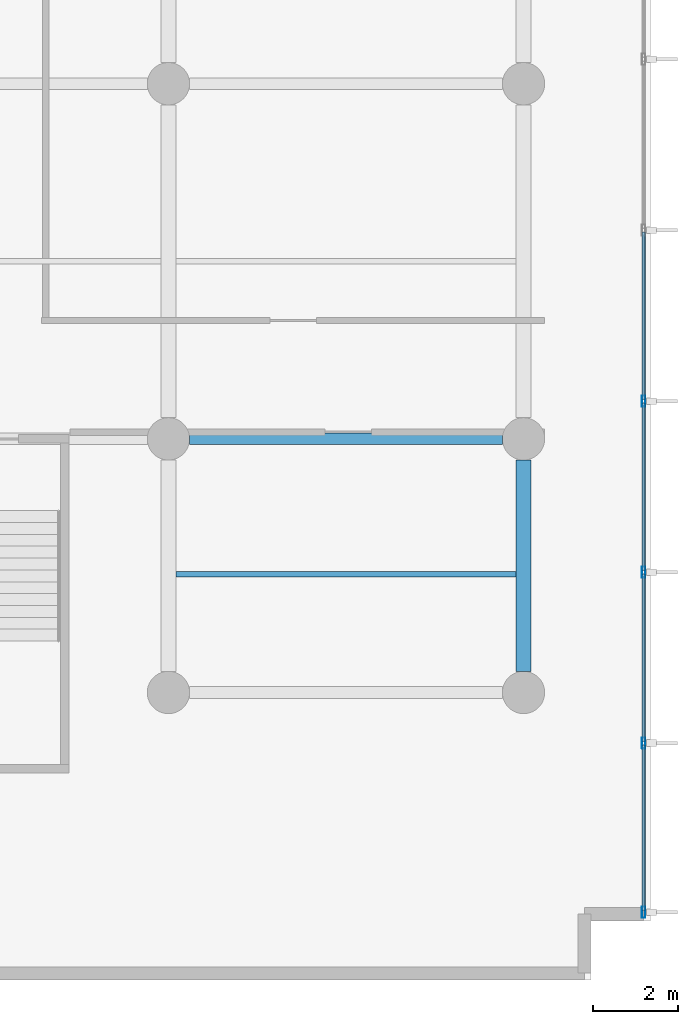
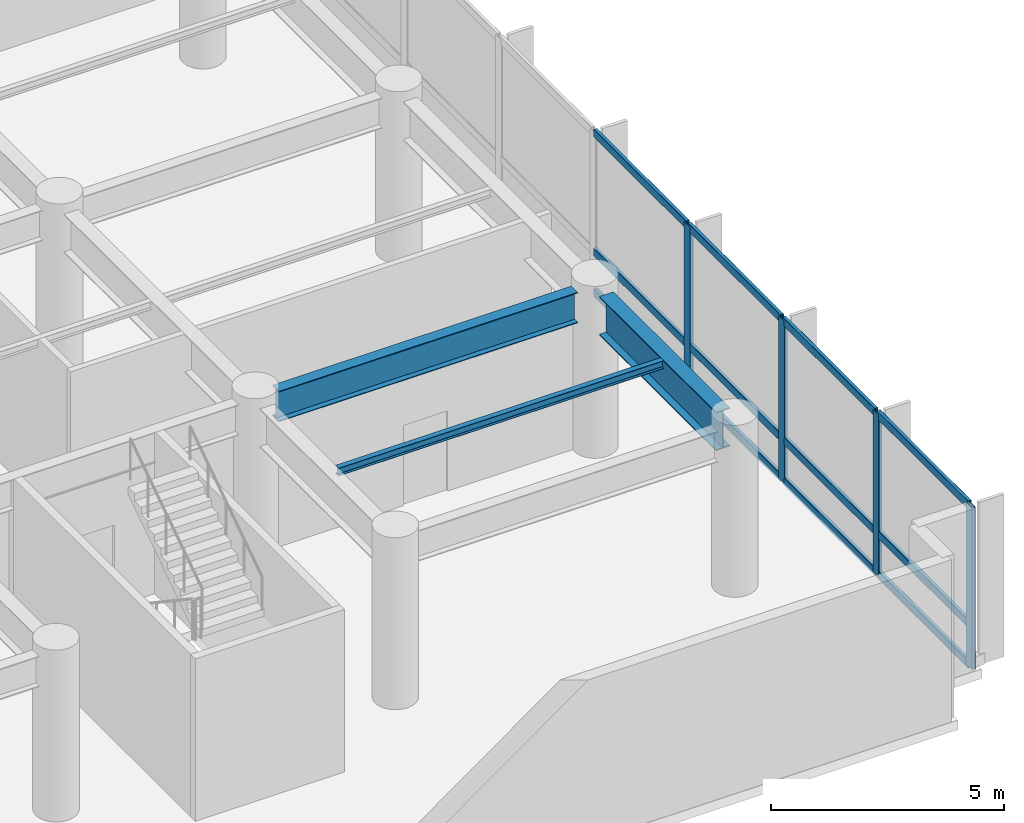
# One storey, part 7 of 26: 16 members, 3 beams, 1 element without a shape of its own.
"""IFC4 building model written with IfcOpenShell, lengths in metres."""

from ifc_helpers import new_model, si_unit, direction, frame, origin, origin_2d, place, context, subcontext, project, spatial, hollow_rectangle, i_section, extrude, material, layer, layer_set, material_profile, profile_set, type_object, element, aggregate, save


model = new_model("IFC4")

# Units and contexts
model_context = context("Model", 3, precision=1e-05, world=origin(), true_north=direction((0.0, 1.0)))
body_context = subcontext(model_context, "Body", "Model", "MODEL_VIEW")
ifc_project = project(units=[si_unit("LENGTHUNIT", "METRE"), si_unit("AREAUNIT", "SQUARE_METRE"), si_unit("VOLUMEUNIT", "CUBIC_METRE"), si_unit("PLANEANGLEUNIT", "RADIAN"), si_unit("MASSUNIT", "GRAM", prefix="KILO")], contexts=[model_context])

# Site, building, storey
site_placement = place(None, origin())
site = spatial("IfcSite", under=ifc_project, at=site_placement, CompositionType="ELEMENT")
building_placement = place(site_placement, origin())
building = spatial("IfcBuilding", under=site, at=building_placement, Name="Varnakote Quay Hospital", CompositionType="ELEMENT")
storey_placement = place(building_placement, frame((0.0, 0.0, 13.5)))
storey = spatial("IfcBuildingStorey", under=building, at=storey_placement, Name="L03", CompositionType="ELEMENT", Elevation=13.5)

# Beams
ifc_material_1 = material(Name="Structural steel AS/NZS 3678 Grade 350 (fy 340 MPa)", Category="steel")
ifc_material_profile_1 = material_profile(ifc_material_1, i_section(OverallWidth=0.35009765625, OverallDepth=1.010009765625, WebThickness=0.01611328125, FlangeThickness=0.02490234375, at=origin_2d()), Name="1000WB258")
ifc_profile_set_1 = profile_set([ifc_material_profile_1], Name="Structural steel AS/NZS 3678 Grade 350 (fy 340 MPa)")
beam_type_1 = type_object("IfcBeamType", Name="BM-STL-1000WB258", PredefinedType="BEAM", material=ifc_profile_set_1)
beam_1_placement = place(storey_placement, frame((84.0, 6.5, 3.7451171875), z_axis=(0.0, 1.0, 0.0), x_axis=(-1.0, 0.0, 0.0)))
element("IfcBeam", 1, at=beam_1_placement, inside=storey, type_object=beam_type_1, Name="L03 Primary Tie Beam", PredefinedType="BEAM", context=body_context, shape_type="SweptSolid", body=[
    extrude(i_section(OverallWidth=0.35009765625, OverallDepth=1.010009765625, WebThickness=0.01611328125, FlangeThickness=0.02490234375, at=origin_2d()), origin(), (0.0, 0.0, 1.0), 5.0),
])
ifc_material_2 = material(Name="Structural steel AS/NZS 3678 Grade 350 (fy 340 MPa)", Category="steel")
ifc_material_profile_2 = material_profile(ifc_material_2, i_section(OverallWidth=0.27490234375, OverallDepth=0.800048828125, WebThickness=0.010009765625, FlangeThickness=0.02001953125, at=origin_2d()), Name="800WB146")
ifc_profile_set_2 = profile_set([ifc_material_profile_2], Name="Structural steel AS/NZS 3678 Grade 350 (fy 340 MPa)")
beam_type_2 = type_object("IfcBeamType", Name="BM-STL-800WB146", PredefinedType="BEAM", material=ifc_profile_set_2)
beam_2_placement = place(storey_placement, frame((76.10009765625, 12.0, 3.85009765625), z_axis=(1.0, 0.0, 0.0), x_axis=(0.0, 1.0, 0.0)))
element("IfcBeam", 2, at=beam_2_placement, inside=storey, type_object=beam_type_2, Name="L03 Primary Floor Beam", PredefinedType="BEAM", context=body_context, shape_type="SweptSolid", body=[
    extrude(i_section(OverallWidth=0.27490234375, OverallDepth=0.800048828125, WebThickness=0.010009765625, FlangeThickness=0.02001953125, at=origin_2d()), origin(), (0.0, 0.0, 1.0), 7.39990234375),
])

# Curtain wall, members
ifc_material_3 = material(Name="Anodised aluminium 6063-T6 Bronze", Category="aluminium")
ifc_layer = layer(ifc_material_3, 0.175048828125)
ifc_layer_set = layer_set([ifc_layer], Name="Anodised aluminium 6063-T6 Bronze")
curtain_wall_type = type_object("IfcCurtainWallType", Name="CW-SYS-1", PredefinedType="NOTDEFINED", material=ifc_layer_set)
curtain_wall_placement = place(storey_placement, origin())
curtain_wall = element("IfcCurtainWall", 3, at=curtain_wall_placement, inside=storey, type_object=curtain_wall_type, Name="L03 Unitised Bronze Curtain Wall 1", PredefinedType="NOTDEFINED")
ifc_material_4 = material(Name="Anodised aluminium 6063-T6 Bronze", Category="aluminium")
ifc_material_profile_3 = material_profile(ifc_material_4, hollow_rectangle(XDim=0.0849609375, YDim=0.260009765625, WallThickness=0.0048828125, InnerFilletRadius=0.0048828125, OuterFilletRadius=0.010009765625, at=origin_2d()), Name="CW-MULL-260x85")
ifc_profile_set_3 = profile_set([ifc_material_profile_3], Name="Anodised aluminium 6063-T6 Bronze")
member_type_1 = type_object("IfcMemberType", Name="CW-MULL-260x85", PredefinedType="MULLION", material=ifc_profile_set_3)
member_1_placement = place(storey_placement, frame((86.840087890625, 0.802490234375, 0.0), z_axis=(0.0, 0.0, 1.0), x_axis=(-1.0, 0.0, 0.0)))
member_1 = element("IfcMember", 4, at=member_1_placement, type_object=member_type_1, Name="-1-L03-1 mullion 1", PredefinedType="MULLION", context=body_context, shape_type="SweptSolid", body=[
    extrude(hollow_rectangle(XDim=0.0849609375, YDim=0.260009765625, WallThickness=0.0048828125, InnerFilletRadius=0.0048828125, OuterFilletRadius=0.010009765625, at=origin_2d()), origin(), (0.0, 0.0, 1.0), 4.25),
])
member_2_placement = place(storey_placement, frame((86.840087890625, 4.8037109375, 0.0), z_axis=(0.0, 0.0, 1.0), x_axis=(-1.0, 0.0, 0.0)))
member_2 = element("IfcMember", 5, at=member_2_placement, type_object=member_type_1, Name="-1-L03-1 mullion 2", PredefinedType="MULLION", context=body_context, shape_type="SweptSolid", body=[
    extrude(hollow_rectangle(XDim=0.0849609375, YDim=0.260009765625, WallThickness=0.0048828125, InnerFilletRadius=0.0048828125, OuterFilletRadius=0.010009765625, at=origin_2d()), origin(), (0.0, 0.0, 1.0), 4.25),
])
member_3_placement = place(storey_placement, frame((86.840087890625, 8.84716796875, 0.0), z_axis=(0.0, 0.0, 1.0), x_axis=(-1.0, 0.0, 0.0)))
member_3 = element("IfcMember", 6, at=member_3_placement, type_object=member_type_1, Name="-1-L03-1 mullion 3", PredefinedType="MULLION", context=body_context, shape_type="SweptSolid", body=[
    extrude(hollow_rectangle(XDim=0.0849609375, YDim=0.260009765625, WallThickness=0.0048828125, InnerFilletRadius=0.0048828125, OuterFilletRadius=0.010009765625, at=origin_2d()), origin(), (0.0, 0.0, 1.0), 4.25),
])
member_4_placement = place(storey_placement, frame((86.840087890625, 12.890869140625, 0.0), z_axis=(0.0, 0.0, 1.0), x_axis=(-1.0, 0.0, 0.0)))
member_4 = element("IfcMember", 7, at=member_4_placement, type_object=member_type_1, Name="-1-L03-1 mullion 4", PredefinedType="MULLION", context=body_context, shape_type="SweptSolid", body=[
    extrude(hollow_rectangle(XDim=0.0849609375, YDim=0.260009765625, WallThickness=0.0048828125, InnerFilletRadius=0.0048828125, OuterFilletRadius=0.010009765625, at=origin_2d()), origin(), (0.0, 0.0, 1.0), 4.25),
])
ifc_material_5 = material(Name="Anodised aluminium 6063-T6 Bronze", Category="aluminium")
ifc_material_profile_4 = material_profile(ifc_material_5, hollow_rectangle(XDim=0.0849609375, YDim=0.2099609375, WallThickness=0.00439453125, InnerFilletRadius=0.00439453125, OuterFilletRadius=0.009033203125, at=origin_2d()), Name="CW-TRAN-210x85")
ifc_profile_set_4 = profile_set([ifc_material_profile_4], Name="Anodised aluminium 6063-T6 Bronze")
member_type_2 = type_object("IfcMemberType", Name="CW-TRAN-210x85", PredefinedType="USERDEFINED", material=ifc_profile_set_4)
member_5_placement = place(storey_placement, frame((86.840087890625, 0.844970703125, 0.04248046875), z_axis=(0.0, 1.0, 0.0), x_axis=(-1.0, 0.0, 0.0)))
member_5 = element("IfcMember", 8, at=member_5_placement, type_object=member_type_2, Name="-1-L03-1 transom 1.1", ObjectType="TRANSOM", PredefinedType="USERDEFINED", context=body_context, shape_type="SweptSolid", body=[
    extrude(hollow_rectangle(XDim=0.0849609375, YDim=0.2099609375, WallThickness=0.00439453125, InnerFilletRadius=0.00439453125, OuterFilletRadius=0.009033203125, at=origin_2d()), origin(), (0.0, 0.0, 1.0), 3.916259765625),
])
member_6_placement = place(storey_placement, frame((86.840087890625, 0.844970703125, 1.10009765625), z_axis=(0.0, 1.0, 0.0), x_axis=(-1.0, 0.0, 0.0)))
member_6 = element("IfcMember", 9, at=member_6_placement, type_object=member_type_2, Name="-1-L03-1 transom 1.2", ObjectType="TRANSOM", PredefinedType="USERDEFINED", context=body_context, shape_type="SweptSolid", body=[
    extrude(hollow_rectangle(XDim=0.0849609375, YDim=0.2099609375, WallThickness=0.00439453125, InnerFilletRadius=0.00439453125, OuterFilletRadius=0.009033203125, at=origin_2d()), origin(), (0.0, 0.0, 1.0), 3.916259765625),
])
member_7_placement = place(storey_placement, frame((86.840087890625, 0.844970703125, 4.20751953125), z_axis=(0.0, 1.0, 0.0), x_axis=(-1.0, 0.0, 0.0)))
member_7 = element("IfcMember", 10, at=member_7_placement, type_object=member_type_2, Name="-1-L03-1 transom 1.3", ObjectType="TRANSOM", PredefinedType="USERDEFINED", context=body_context, shape_type="SweptSolid", body=[
    extrude(hollow_rectangle(XDim=0.0849609375, YDim=0.2099609375, WallThickness=0.00439453125, InnerFilletRadius=0.00439453125, OuterFilletRadius=0.009033203125, at=origin_2d()), origin(), (0.0, 0.0, 1.0), 3.916259765625),
])
member_8_placement = place(storey_placement, frame((86.840087890625, 4.84619140625, 0.04248046875), z_axis=(0.0, 1.0, 0.0), x_axis=(-1.0, 0.0, 0.0)))
member_8 = element("IfcMember", 11, at=member_8_placement, type_object=member_type_2, Name="-1-L03-1 transom 2.1", ObjectType="TRANSOM", PredefinedType="USERDEFINED", context=body_context, shape_type="SweptSolid", body=[
    extrude(hollow_rectangle(XDim=0.0849609375, YDim=0.2099609375, WallThickness=0.00439453125, InnerFilletRadius=0.00439453125, OuterFilletRadius=0.009033203125, at=origin_2d()), origin(), (0.0, 0.0, 1.0), 3.95849609375),
])
member_9_placement = place(storey_placement, frame((86.840087890625, 4.84619140625, 1.10009765625), z_axis=(0.0, 1.0, 0.0), x_axis=(-1.0, 0.0, 0.0)))
member_9 = element("IfcMember", 12, at=member_9_placement, type_object=member_type_2, Name="-1-L03-1 transom 2.2", ObjectType="TRANSOM", PredefinedType="USERDEFINED", context=body_context, shape_type="SweptSolid", body=[
    extrude(hollow_rectangle(XDim=0.0849609375, YDim=0.2099609375, WallThickness=0.00439453125, InnerFilletRadius=0.00439453125, OuterFilletRadius=0.009033203125, at=origin_2d()), origin(), (0.0, 0.0, 1.0), 3.95849609375),
])
member_10_placement = place(storey_placement, frame((86.840087890625, 4.84619140625, 4.20751953125), z_axis=(0.0, 1.0, 0.0), x_axis=(-1.0, 0.0, 0.0)))
member_10 = element("IfcMember", 13, at=member_10_placement, type_object=member_type_2, Name="-1-L03-1 transom 2.3", ObjectType="TRANSOM", PredefinedType="USERDEFINED", context=body_context, shape_type="SweptSolid", body=[
    extrude(hollow_rectangle(XDim=0.0849609375, YDim=0.2099609375, WallThickness=0.00439453125, InnerFilletRadius=0.00439453125, OuterFilletRadius=0.009033203125, at=origin_2d()), origin(), (0.0, 0.0, 1.0), 3.95849609375),
])
member_11_placement = place(storey_placement, frame((86.840087890625, 8.889892578125, 0.04248046875), z_axis=(0.0, 1.0, 0.0), x_axis=(-1.0, 0.0, 0.0)))
member_11 = element("IfcMember", 14, at=member_11_placement, type_object=member_type_2, Name="-1-L03-1 transom 3.1", ObjectType="TRANSOM", PredefinedType="USERDEFINED", context=body_context, shape_type="SweptSolid", body=[
    extrude(hollow_rectangle(XDim=0.0849609375, YDim=0.2099609375, WallThickness=0.00439453125, InnerFilletRadius=0.00439453125, OuterFilletRadius=0.009033203125, at=origin_2d()), origin(), (0.0, 0.0, 1.0), 3.95849609375),
])
member_12_placement = place(storey_placement, frame((86.840087890625, 8.889892578125, 1.10009765625), z_axis=(0.0, 1.0, 0.0), x_axis=(-1.0, 0.0, 0.0)))
member_12 = element("IfcMember", 15, at=member_12_placement, type_object=member_type_2, Name="-1-L03-1 transom 3.2", ObjectType="TRANSOM", PredefinedType="USERDEFINED", context=body_context, shape_type="SweptSolid", body=[
    extrude(hollow_rectangle(XDim=0.0849609375, YDim=0.2099609375, WallThickness=0.00439453125, InnerFilletRadius=0.00439453125, OuterFilletRadius=0.009033203125, at=origin_2d()), origin(), (0.0, 0.0, 1.0), 3.95849609375),
])
member_13_placement = place(storey_placement, frame((86.840087890625, 8.889892578125, 4.20751953125), z_axis=(0.0, 1.0, 0.0), x_axis=(-1.0, 0.0, 0.0)))
member_13 = element("IfcMember", 16, at=member_13_placement, type_object=member_type_2, Name="-1-L03-1 transom 3.3", ObjectType="TRANSOM", PredefinedType="USERDEFINED", context=body_context, shape_type="SweptSolid", body=[
    extrude(hollow_rectangle(XDim=0.0849609375, YDim=0.2099609375, WallThickness=0.00439453125, InnerFilletRadius=0.00439453125, OuterFilletRadius=0.009033203125, at=origin_2d()), origin(), (0.0, 0.0, 1.0), 3.95849609375),
])
member_14_placement = place(storey_placement, frame((86.840087890625, 12.933349609375, 0.04248046875), z_axis=(0.0, 1.0, 0.0), x_axis=(-1.0, 0.0, 0.0)))
member_14 = element("IfcMember", 17, at=member_14_placement, type_object=member_type_2, Name="-1-L03-1 transom 4.1", ObjectType="TRANSOM", PredefinedType="USERDEFINED", context=body_context, shape_type="SweptSolid", body=[
    extrude(hollow_rectangle(XDim=0.0849609375, YDim=0.2099609375, WallThickness=0.00439453125, InnerFilletRadius=0.00439453125, OuterFilletRadius=0.009033203125, at=origin_2d()), origin(), (0.0, 0.0, 1.0), 3.958740234375),
])
member_15_placement = place(storey_placement, frame((86.840087890625, 12.933349609375, 1.10009765625), z_axis=(0.0, 1.0, 0.0), x_axis=(-1.0, 0.0, 0.0)))
member_15 = element("IfcMember", 18, at=member_15_placement, type_object=member_type_2, Name="-1-L03-1 transom 4.2", ObjectType="TRANSOM", PredefinedType="USERDEFINED", context=body_context, shape_type="SweptSolid", body=[
    extrude(hollow_rectangle(XDim=0.0849609375, YDim=0.2099609375, WallThickness=0.00439453125, InnerFilletRadius=0.00439453125, OuterFilletRadius=0.009033203125, at=origin_2d()), origin(), (0.0, 0.0, 1.0), 3.958740234375),
])
member_16_placement = place(storey_placement, frame((86.840087890625, 12.933349609375, 4.20751953125), z_axis=(0.0, 1.0, 0.0), x_axis=(-1.0, 0.0, 0.0)))
member_16 = element("IfcMember", 19, at=member_16_placement, type_object=member_type_2, Name="-1-L03-1 transom 4.3", ObjectType="TRANSOM", PredefinedType="USERDEFINED", context=body_context, shape_type="SweptSolid", body=[
    extrude(hollow_rectangle(XDim=0.0849609375, YDim=0.2099609375, WallThickness=0.00439453125, InnerFilletRadius=0.00439453125, OuterFilletRadius=0.009033203125, at=origin_2d()), origin(), (0.0, 0.0, 1.0), 3.958740234375),
])
aggregate(curtain_wall, [member_1, member_2, member_3, member_4, member_5, member_6, member_7, member_8, member_9, member_10, member_11, member_12, member_13, member_14, member_15, member_16])

# Beam
ifc_material_6 = material(Name="Structural steel AS/NZS 3679.1 Grade 350 L0 (fy 340 MPa)", Category="steel")
ifc_material_profile_5 = material_profile(ifc_material_6, i_section(OverallWidth=0.134033203125, OverallDepth=0.20703125, WebThickness=0.00634765625, FlangeThickness=0.009521484375, FilletRadius=0.0087890625, at=origin_2d()), Name="200UB29.8")
ifc_profile_set_5 = profile_set([ifc_material_profile_5], Name="Structural steel AS/NZS 3679.1 Grade 350 L0 (fy 340 MPa)")
beam_type_3 = type_object("IfcBeamType", Name="JST-STL-200UB29-8", PredefinedType="JOIST", material=ifc_profile_set_5)
beam_3_placement = place(storey_placement, frame((75.77490234375, 8.800048828125, 4.146484375), z_axis=(1.0, 0.0, 0.0), x_axis=(0.0, 1.0, 0.0)))
element("IfcBeam", 20, at=beam_3_placement, inside=storey, type_object=beam_type_3, Name="L03 Composite Floor Joist", PredefinedType="JOIST", context=body_context, shape_type="SweptSolid", body=[
    extrude(i_section(OverallWidth=0.134033203125, OverallDepth=0.20703125, WebThickness=0.00634765625, FlangeThickness=0.009521484375, FilletRadius=0.0087890625, at=origin_2d()), origin(), (0.0, 0.0, 1.0), 8.050048828125),
])

save(model, "model.ifc")
